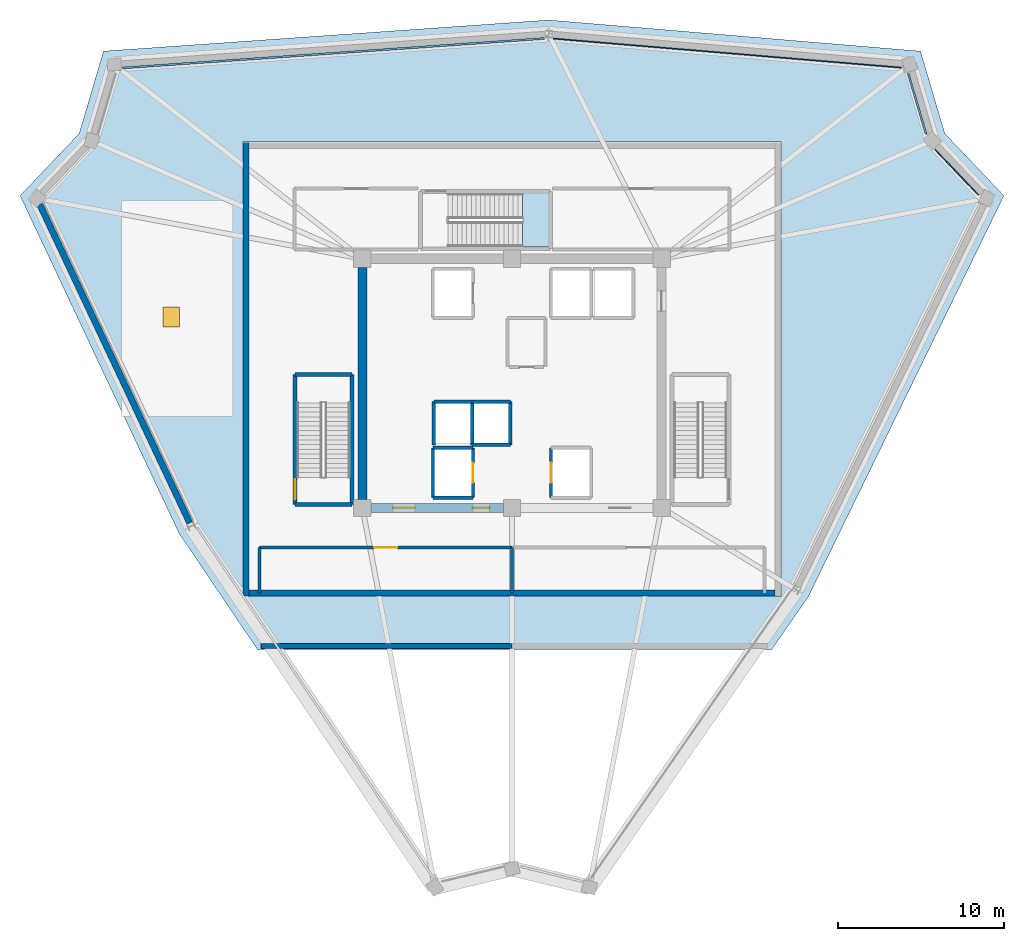
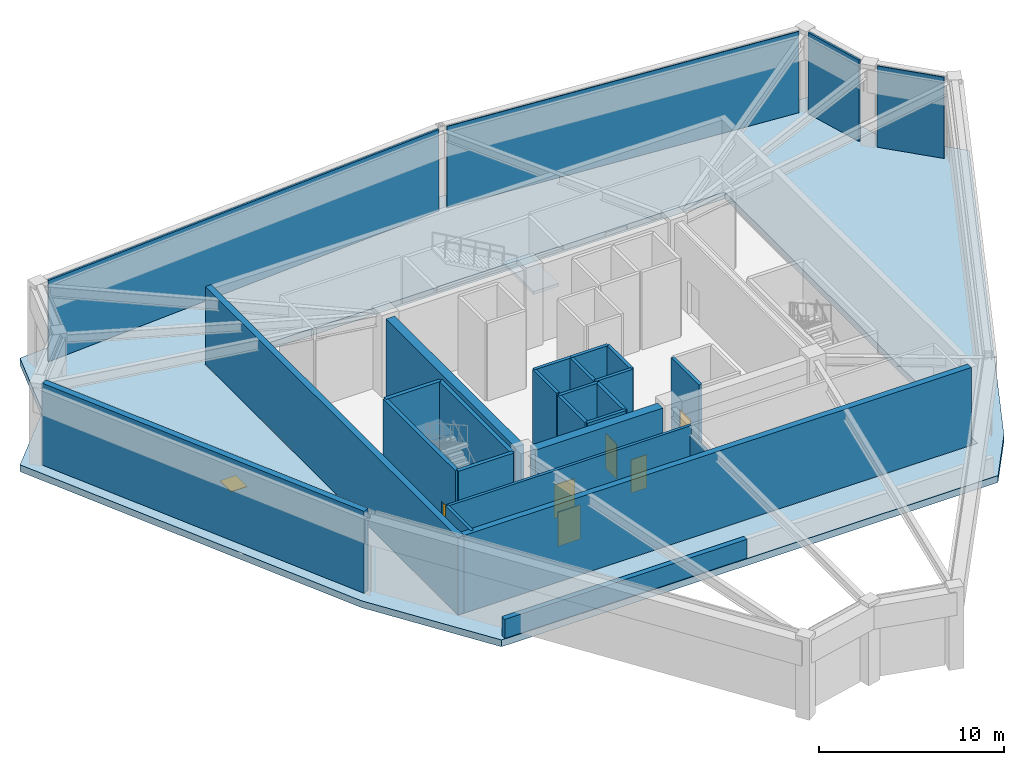
# One storey, part 4 of 8: 24 walls, 7 doors, 4 plates, 2 slabs, 7 openings, 1 element without a shape of its own.
"""IFC4 building model written with IfcOpenShell, lengths in metres."""

import ifcopenshell
import ifcopenshell.guid

model = None  # the IFC model being written
_history = None  # IfcOwnerHistory: only IFC2X3 demands one
_inside = {}  # id of a spatial element -> (the spatial element, [elements in it])
_under = {}  # id of a project, library or spatial element -> (it, [spatial elements below it])
_declared = {}  # id of a project -> (the project, [libraries it declares])
_typed = {}  # id of a type object -> (the type object, [elements of that type])
_made_of = {}  # id of a material, layer set ... -> (it, [elements and type objects made of it])


def new_model(schema):
    """Start an empty IFC model of exactly this schema.

    Asked for "IFC4X3", IfcOpenShell would pick the latest addendum, in which some entities
    have other attributes; the version numbers below select the first issue.
    IFC2X3 requires an IfcOwnerHistory on every rooted entity: one is made here for all.
    """
    global model, _history
    if schema == "IFC4X3":
        model = ifcopenshell.file(schema_version=(4, 3, 0, 0))
    else:
        model = ifcopenshell.file(schema=schema)
    _inside.clear()
    _under.clear()
    _declared.clear()
    _typed.clear()
    _made_of.clear()
    _history = None
    if model.schema == "IFC2X3":
        org = make("IfcOrganization", Name="unknown")
        user = make(
            "IfcPersonAndOrganization",
            ThePerson=make("IfcPerson", FamilyName="unknown"),
            TheOrganization=org,
        )
        app = make(
            "IfcApplication",
            ApplicationDeveloper=org,
            Version="unknown",
            ApplicationFullName="unknown",
            ApplicationIdentifier="unknown",
        )
        _history = make(
            "IfcOwnerHistory",
            OwningUser=user,
            OwningApplication=app,
            ChangeAction="ADDED",
            CreationDate=0,
        )
    return model


def make(cls, **values):
    """One entity of the class cls with the attributes given. An attribute that is None is left unset."""
    return model.create_entity(
        cls, **{name: value for name, value in values.items() if value is not None}
    )


def rooted(cls, **values):
    """An entity with a GlobalId (a new one), such as an element, a storey or a relation."""
    return make(cls, GlobalId=ifcopenshell.guid.new(), OwnerHistory=_history, **values)


def si_unit(unit_type, name, prefix=None):
    """IfcSIUnit, for example si_unit("LENGTHUNIT", "METRE", prefix="MILLI")."""
    return make("IfcSIUnit", UnitType=unit_type, Prefix=prefix, Name=name)


def assignment(units):
    """IfcUnitAssignment: the units of a project."""
    return None if units is None else make("IfcUnitAssignment", Units=units)


def point(xyz):
    """IfcCartesianPoint."""
    return None if xyz is None else make("IfcCartesianPoint", Coordinates=xyz)


def direction(xyz):
    """IfcDirection."""
    return None if xyz is None else make("IfcDirection", DirectionRatios=xyz)


def frame(location, z_axis=None, x_axis=None):
    """IfcAxis2Placement3D, a coordinate frame: its origin and axes. An axis left out is left unset."""
    return make(
        "IfcAxis2Placement3D",
        Location=point(location),
        Axis=direction(z_axis),
        RefDirection=direction(x_axis),
    )


def frame_2d(location, x_axis=None):
    """IfcAxis2Placement2D, a coordinate frame in the plane: its origin and x axis."""
    return make(
        "IfcAxis2Placement2D", Location=point(location), RefDirection=direction(x_axis)
    )


def origin():
    """The frame at (0, 0, 0) with its axes left unset."""
    return frame((0.0, 0.0, 0.0))


def origin_2d():
    """The frame at (0, 0) in the plane with its x axis left unset."""
    return frame_2d((0.0, 0.0))


def place(relative_to, where):
    """IfcLocalPlacement: puts the frame where relative to a parent placement (None: the world)."""
    return make(
        "IfcLocalPlacement", PlacementRelTo=relative_to, RelativePlacement=where
    )


def context(
    kind, dimensions, precision=None, world=None, true_north=None, identifier=None
):
    """IfcGeometricRepresentationContext, for example the 3D "Model" context."""
    return make(
        "IfcGeometricRepresentationContext",
        ContextIdentifier=identifier,
        ContextType=kind,
        CoordinateSpaceDimension=dimensions,
        Precision=precision,
        WorldCoordinateSystem=world,
        TrueNorth=true_north,
    )


def subcontext(parent, identifier, kind, view, scale=None):
    """IfcGeometricRepresentationSubContext, for example "Body" below "Model"."""
    return make(
        "IfcGeometricRepresentationSubContext",
        ContextIdentifier=identifier,
        ContextType=kind,
        ParentContext=parent,
        TargetScale=scale,
        TargetView=view,
    )


def project(units=None, contexts=None):
    """IfcProject with its units and contexts."""
    return rooted(
        "IfcProject",
        Name="project",
        RepresentationContexts=contexts,
        UnitsInContext=assignment(units),
    )


def spatial(cls, under=None, at=None, **own):
    """A site, building, storey or space (cls), placed at a placement, below another one or the project."""
    s = rooted(cls, ObjectPlacement=at, **own)
    if under is not None:
        _under.setdefault(under.id(), (under, []))[1].append(s)
    return s


def polyline(points):
    """IfcPolyline through the points."""
    return make("IfcPolyline", Points=[point(p) for p in points])


def profile(cls, at=None, kind="AREA", **sizes):
    """A parametric profile (cls). Its sizes go by their IFC names, for example OverallWidth=200.0."""
    return make(cls, ProfileType=kind, Position=at, **sizes)


def rectangle(**sizes):
    """IfcRectangleProfileDef."""
    return profile("IfcRectangleProfileDef", **sizes)


def outline(outer, holes=None, kind="AREA"):
    """IfcArbitraryClosedProfileDef: a profile drawn as a closed curve; with holes, ...WithVoids."""
    if holes is None:
        return make("IfcArbitraryClosedProfileDef", ProfileType=kind, OuterCurve=outer)
    return make(
        "IfcArbitraryProfileDefWithVoids",
        ProfileType=kind,
        OuterCurve=outer,
        InnerCurves=holes,
    )


def extrude(swept, where, along, depth):
    """IfcExtrudedAreaSolid: the profile swept, set in the frame where, extruded along a direction by depth."""
    return make(
        "IfcExtrudedAreaSolid",
        SweptArea=swept,
        Position=where,
        ExtrudedDirection=direction(along),
        Depth=depth,
    )


def shape(context_of_items, identifier, shape_type, items):
    """IfcShapeRepresentation: the items that make up one representation, for example the "Body"."""
    return make(
        "IfcShapeRepresentation",
        ContextOfItems=context_of_items,
        RepresentationIdentifier=identifier,
        RepresentationType=shape_type,
        Items=items,
    )


def source(mapping_origin, context_of_items, identifier, shape_type, items):
    """IfcRepresentationMap: a shape defined once, which mapped items show again and again."""
    return make(
        "IfcRepresentationMap",
        MappingOrigin=mapping_origin,
        MappedRepresentation=shape(context_of_items, identifier, shape_type, items),
    )


def transform(
    local_origin,
    x_axis=None,
    y_axis=None,
    z_axis=None,
    scale=None,
    scale2=None,
    scale3=None,
    uniform=True,
):
    """IfcCartesianTransformationOperator3D, or its non-uniform kind. x_axis, y_axis, z_axis: its Axis1, 2, 3."""
    if uniform:
        return make(
            "IfcCartesianTransformationOperator3D",
            Axis1=direction(x_axis),
            Axis2=direction(y_axis),
            LocalOrigin=point(local_origin),
            Scale=scale,
            Axis3=direction(z_axis),
        )
    return make(
        "IfcCartesianTransformationOperator3DnonUniform",
        Axis1=direction(x_axis),
        Axis2=direction(y_axis),
        LocalOrigin=point(local_origin),
        Scale=scale,
        Axis3=direction(z_axis),
        Scale2=scale2,
        Scale3=scale3,
    )


def mapped(mapping_source, mapping_target):
    """IfcMappedItem: shows the shape of a source again, moved by a transform."""
    return make(
        "IfcMappedItem", MappingSource=mapping_source, MappingTarget=mapping_target
    )


def material(Name=None, Category=None):
    """IfcMaterial."""
    return make("IfcMaterial", Name=Name, Category=Category)


def layer(
    of_material, thickness, ventilated=None, Name=None, Category=None, Priority=None
):
    """IfcMaterialLayer: one layer of a wall or slab, of a material (None: an air gap)."""
    return make(
        "IfcMaterialLayer",
        Material=of_material,
        LayerThickness=thickness,
        IsVentilated=ventilated,
        Name=Name,
        Category=Category,
        Priority=Priority,
    )


def layer_set(layers, Name=None):
    """IfcMaterialLayerSet."""
    return make("IfcMaterialLayerSet", MaterialLayers=layers, LayerSetName=Name)


def made_of(thing, what):
    """Note that an element or type object is made of a material, layer set ...; save() writes the relation."""
    if what is not None:
        _made_of.setdefault(what.id(), (what, []))[1].append(thing)
    return thing


def type_object(cls, material=None, **own):
    """A type object (cls), such as IfcWallType, which elements share."""
    return made_of(rooted(cls, **own), material)


def element(
    cls,
    number,
    at=None,
    inside=None,
    cuts=None,
    type_object=None,
    material=None,
    context=None,
    identifier="Body",
    shape_type=None,
    held_by="IfcProductDefinitionShape",
    body=None,
    shapes=None,
    **own,
):
    """One element of the class cls, such as IfcWall. Its Tag is "e" and its number.

    at: its placement. inside: the storey or other place that contains it. cuts: it is an
    opening in that element (IfcRelVoidsElement). A single representation is given by context,
    identifier, shape_type and body (its items); several are given by shapes. held_by: the class
    of the entity that holds the representations. save() writes the other relations.
    """
    e = rooted(cls, Tag="e%d" % number, ObjectPlacement=at, **own)
    if body is not None:
        shapes = [shape(context, identifier, shape_type, body)]
    if shapes is not None:
        e.Representation = make(held_by, Representations=shapes)
    if inside is not None:
        _inside.setdefault(inside.id(), (inside, []))[1].append(e)
    if cuts is not None:
        rooted(
            "IfcRelVoidsElement", RelatingBuildingElement=cuts, RelatedOpeningElement=e
        )
    if type_object is not None:
        _typed.setdefault(type_object.id(), (type_object, []))[1].append(e)
    return made_of(e, material)


def fill(opening, filler):
    """IfcRelFillsElement: the door or window that sits in an opening."""
    return rooted(
        "IfcRelFillsElement",
        RelatingOpeningElement=opening,
        RelatedBuildingElement=filler,
    )


def aggregate(whole, parts):
    """IfcRelAggregates: a whole, such as a stair, and the parts it consists of."""
    return rooted("IfcRelAggregates", RelatingObject=whole, RelatedObjects=parts)


def save(model, path):
    """Write the relations noted so far, then the file.

    IfcRelAggregates (storeys below a building ...), IfcRelContainedInSpatialStructure (elements
    in a storey), IfcRelDefinesByType, IfcRelAssociatesMaterial and IfcRelDeclares: one each for
    every whole, place, type object, material and project.
    """
    for whole, parts in _under.values():
        aggregate(whole, parts)
    for where, things in _inside.values():
        rooted(
            "IfcRelContainedInSpatialStructure",
            RelatedElements=things,
            RelatingStructure=where,
        )
    for kind, things in _typed.values():
        rooted("IfcRelDefinesByType", RelatedObjects=things, RelatingType=kind)
    for what, things in _made_of.values():
        rooted("IfcRelAssociatesMaterial", RelatedObjects=things, RelatingMaterial=what)
    for by, libraries in _declared.values():
        rooted("IfcRelDeclares", RelatingContext=by, RelatedDefinitions=libraries)
    model.write(path)


model = new_model("IFC4")

# Units and contexts
model_context = context("Model", 3, precision=1e-05, world=origin(), true_north=direction((0.0, 1.0)))
body_context = subcontext(model_context, "Body", "Model", "MODEL_VIEW")
ifc_project = project(units=[si_unit("LENGTHUNIT", "METRE"), si_unit("AREAUNIT", "SQUARE_METRE"), si_unit("VOLUMEUNIT", "CUBIC_METRE"), si_unit("PLANEANGLEUNIT", "RADIAN"), si_unit("MASSUNIT", "GRAM", prefix="KILO")], contexts=[model_context])

# Site, building, storey
site_placement = place(None, origin())
site = spatial("IfcSite", under=ifc_project, at=site_placement, CompositionType="ELEMENT")
building_placement = place(site_placement, origin())
building = spatial("IfcBuilding", under=site, at=building_placement, Name="Liaohun Quay Tower", CompositionType="ELEMENT")
storey_placement = place(building_placement, frame((0.0, 0.0, 360.60009765625)))
storey = spatial("IfcBuildingStorey", under=building, at=storey_placement, Name="L93", CompositionType="ELEMENT", Elevation=360.60009765625)

# Slab, opening, door
ifc_material_1 = material(Name="Precast concrete C55", Category="concrete")
ifc_layer_1 = layer(ifc_material_1, 0.449951171875, Name="Precast concrete C55", Category="concrete")
ifc_layer_set_1 = layer_set([ifc_layer_1], Name="Precast concrete C55")
slab_type_1 = type_object("IfcSlabType", Name="SLB-CAN-450", PredefinedType="ROOF", material=ifc_layer_set_1)
slab_1_placement = place(storey_placement, frame((0.0, 0.0, -0.4501953125)))
slab_1 = element("IfcSlab", 1, at=slab_1_placement, inside=storey, type_object=slab_type_1, Name="L93 Pavilion Roof Deck", PredefinedType="ROOF", context=body_context, shape_type="SweptSolid", body=[
    extrude(outline(polyline([(44.66796875, 38.0), (75.64111328125, 38.0), (77.830078125, 41.15087890625), (89.60595703125, 65.294921875), (86.044921875, 69.037109375), (84.5849609375, 73.991943359375), (62.212890625, 75.864990234375), (35.4150390625, 73.991943359375), (33.955078125, 69.037109375), (30.39404296875, 65.294921875), (39.9580078125, 44.98388671875), (44.66796875, 38.0)]), holes=[polyline([(76.2099609375, 41.18994140625), (76.2099609375, 68.510009765625), (43.7900390625, 68.510009765625), (43.7900390625, 41.18994140625), (76.2099609375, 41.18994140625)])]), origin(), (0.0, 0.0, 1.0), 0.4501953125),
])
opening_1_placement = place(slab_1_placement, frame((39.5, 58.0, 0.0)))
opening_1 = element("IfcOpeningElement", 2, at=opening_1_placement, cuts=slab_1, Name="Opening HD1", PredefinedType="OPENING", context=body_context, shape_type="SweptSolid", body=[
    extrude(rectangle(XDim=1.0, YDim=1.199951171875, at=origin_2d()), origin(), (0.0, 0.0, 1.0), 0.4501953125),
])
ifc_material_2 = material(Name="Insulated aluminium roof access hatch", Category="aluminium")
door_type_1 = type_object("IfcDoorType", Name="DOR-HTC-1000", OperationType="SINGLE_SWING_LEFT", PredefinedType="TRAPDOOR", material=ifc_material_2)
door_1_placement = place(opening_1_placement, frame((0.0, 0.0, 0.400146484375)))
door_1 = element("IfcDoor", 3, at=door_1_placement, inside=storey, type_object=door_type_1, Name="L93 Pavilion Maintenance Roof Hatch", OperationType="SINGLE_SWING_LEFT", OverallHeight=1.199951171875, OverallWidth=1.0, PredefinedType="TRAPDOOR", context=body_context, shape_type="SweptSolid", body=[
    extrude(rectangle(XDim=1.0, YDim=1.199951171875, at=origin_2d()), origin(), (0.0, 0.0, 1.0), 0.050048828125),
])
fill(opening_1, door_1)

# Stair, slab
ifc_material_3 = material(Name="Concrete C45", Category="concrete")
stair_type = type_object("IfcStairType", Name="STR-CORE-CRN", PredefinedType="HALF_TURN_STAIR", material=ifc_material_3)
stair_placement = place(storey_placement, origin())
stair = element("IfcStair", 4, at=stair_placement, inside=storey, type_object=stair_type, Name="L93 Smokeproof Core Exit Stair ST-3", PredefinedType="HALF_TURN_STAIR")
ifc_layer_2 = layer(ifc_material_3, 0.199951171875, Name="Concrete C45", Category="concrete")
ifc_layer_set_2 = layer_set([ifc_layer_2], Name="Concrete C45")
slab_type_2 = type_object("IfcSlabType", Name="SLB-LND-200", PredefinedType="LANDING", material=ifc_layer_set_2)
slab_2_placement = place(storey_placement, frame((0.0, 0.0, 2.5)))
slab_2 = element("IfcSlab", 5, at=slab_2_placement, type_object=slab_type_2, Name="ST-3 landing 1", PredefinedType="LANDING", context=body_context, shape_type="SweptSolid", body=[
    extrude(outline(polyline([(60.6298828125, 62.199951171875), (62.219970703125, 62.199951171875), (62.219970703125, 65.43994140625), (60.6298828125, 65.43994140625), (60.6298828125, 62.199951171875)])), origin(), (0.0, 0.0, 1.0), 0.199951171875),
])
aggregate(stair, [slab_2])

# Plates
ifc_material_4 = material(Name="Precast concrete C50 bush-hammered spandrel plate", Category="concrete")
ifc_layer_3 = layer(ifc_material_4, 0.1201171875, Name="Precast concrete C50 bush-hammered spandrel plate", Category="concrete")
ifc_layer_set_3 = layer_set([ifc_layer_3], Name="Precast concrete C50 bush-hammered spandrel plate")
plate_type_1 = type_object("IfcPlateType", Name="PLT-PRC-CLAD", PredefinedType="USERDEFINED", material=ifc_layer_set_3)
shared_shape_1 = source(origin(), body_context, "Body", "SweptSolid", [
    extrude(rectangle(XDim=3.800048828125, YDim=0.1201171875, at=origin_2d()), origin(), (0.0, 0.0, 1.0), 5.360107421875),
])
plate_1_placement = place(storey_placement, frame((84.381103515625, 70.8291015625, 0.0), z_axis=(0.0, 0.0, 1.0), x_axis=(-0.28284371374, 0.959166009405, 0.0)))
element("IfcPlate", 6, at=plate_1_placement, inside=storey, type_object=plate_type_1, Name="L93 Crown Brutalist Cladding Fascia 05", ObjectType="CLADDING PLATE", PredefinedType="USERDEFINED", context=body_context, shape_type="MappedRepresentation", body=[
    mapped(shared_shape_1, transform((0.0, 0.0, 0.0), x_axis=(1.0, 0.0, 0.0), y_axis=(0.0, 1.0, 0.0), z_axis=(0.0, 0.0, 1.0), scale=1.0)),
])
ifc_material_5 = material(Name="Insulated anodised aluminium spandrel cassette", Category="aluminium")
ifc_layer_4 = layer(ifc_material_5, 0.06005859375, Name="Insulated anodised aluminium spandrel cassette", Category="aluminium")
ifc_layer_set_4 = layer_set([ifc_layer_4], Name="Insulated anodised aluminium spandrel cassette")
plate_type_2 = type_object("IfcPlateType", Name="PLT-CWP-SPD", PredefinedType="SHEET", material=ifc_layer_set_4)
shared_shape_2 = source(origin(), body_context, "Body", "SweptSolid", [
    extrude(rectangle(XDim=21.02392578125, YDim=0.06005859375, at=origin_2d()), origin(), (0.0, 0.0, 1.0), 5.360107421875),
])
plate_2_placement = place(storey_placement, frame((72.945068359375, 73.873046875, 0.0), z_axis=(0.0, 0.0, 1.0), x_axis=(-0.996522007617, 0.083329996614, 0.0)))
element("IfcPlate", 7, at=plate_2_placement, inside=storey, type_object=plate_type_2, Name="L93 Crown Brutalist Cladding Fascia 06", PredefinedType="SHEET", context=body_context, shape_type="MappedRepresentation", body=[
    mapped(shared_shape_2, transform((0.0, 0.0, 0.0), x_axis=(1.0, 0.0, 0.0), y_axis=(0.0, 1.0, 0.0), z_axis=(0.0, 0.0, 1.0), scale=1.0)),
])
shared_shape_3 = source(origin(), body_context, "Body", "SweptSolid", [
    extrude(rectangle(XDim=3.7900390625, YDim=0.06005859375, at=origin_2d()), origin(), (0.0, 0.0, 1.0), 5.360107421875),
])
plate_3_placement = place(storey_placement, frame((86.761962890625, 66.702880859375, 0.0), z_axis=(0.0, 0.0, 1.0), x_axis=(-0.68936671806, 0.724412539946, 0.0)))
element("IfcPlate", 8, at=plate_3_placement, inside=storey, type_object=plate_type_2, Name="L93 Crown Brutalist Cladding Fascia 04", PredefinedType="SHEET", context=body_context, shape_type="MappedRepresentation", body=[
    mapped(shared_shape_3, transform((0.0, 0.0, 0.0), x_axis=(1.0, 0.0, 0.0), y_axis=(0.0, 1.0, 0.0), z_axis=(0.0, 0.0, 1.0), scale=1.0)),
])
shared_shape_4 = source(origin(), body_context, "Body", "SweptSolid", [
    extrude(rectangle(XDim=25.427978515625, YDim=0.1201171875, at=origin_2d()), origin(), (0.0, 0.0, 1.0), 5.360107421875),
])
plate_4_placement = place(storey_placement, frame((49.257080078125, 73.866943359375, 0.0), z_axis=(0.0, 0.0, 1.0), x_axis=(-0.99756405026, -0.069756473744, 0.0)))
element("IfcPlate", 9, at=plate_4_placement, inside=storey, type_object=plate_type_1, Name="L93 Crown Brutalist Cladding Fascia 07", ObjectType="CLADDING PLATE", PredefinedType="USERDEFINED", context=body_context, shape_type="MappedRepresentation", body=[
    mapped(shared_shape_4, transform((0.0, 0.0, 0.0), x_axis=(1.0, 0.0, 0.0), y_axis=(0.0, 1.0, 0.0), z_axis=(0.0, 0.0, 1.0), scale=1.0)),
])

# Wall, openings, doors
ifc_material_6 = material(Name="Concrete C50", Category="concrete")
ifc_layer_5 = layer(ifc_material_6, 0.550048828125, Name="Concrete C50", Category="concrete")
ifc_layer_set_5 = layer_set([ifc_layer_5], Name="Concrete C50")
wall_type_1 = type_object("IfcWallType", Name="WAL-COR-Z4", PredefinedType="SHEAR", material=ifc_layer_set_5)
wall_1_placement = place(storey_placement, frame((59.47509765625, 46.5, 0.0), z_axis=(0.0, 0.0, 1.0), x_axis=(-1.0, 0.0, 0.0)))
wall_1 = element("IfcWall", 10, at=wall_1_placement, inside=storey, type_object=wall_type_1, Name="L93 Central Core Shear Wall S-W", PredefinedType="SHEAR", context=body_context, shape_type="SweptSolid", body=[
    extrude(rectangle(XDim=7.9501953125, YDim=0.550048828125, at=frame_2d((3.97509765625, 0.0))), origin(), (0.0, 0.0, 1.0), 5.119873046875),
])
shared_shape_5 = source(origin(), body_context, "Body", "SweptSolid", [
    extrude(rectangle(XDim=1.300048828125, YDim=2.199951171875, at=frame_2d((0.64990234375, 1.10009765625))), frame((0.0, 0.284912109375, 0.0), z_axis=(0.0, -1.0, 0.0), x_axis=(1.0, 0.0, 0.0)), (0.0, 0.0, 1.0), 0.570068359375),
])
opening_2_placement = place(wall_1_placement, frame((5.324951171875, 0.0, 0.0)))
opening_2 = element("IfcOpeningElement", 11, at=opening_2_placement, cuts=wall_1, Name="Opening FD1", PredefinedType="OPENING", context=body_context, shape_type="MappedRepresentation", body=[
    mapped(shared_shape_5, transform((0.0, 0.0, 0.0), x_axis=(1.0, 0.0, 0.0), y_axis=(0.0, 1.0, 0.0), z_axis=(0.0, 0.0, 1.0), scale=1.0)),
])
shared_shape_6 = source(origin(), body_context, "Body", "SweptSolid", [
    extrude(rectangle(XDim=1.0, YDim=2.199951171875, at=frame_2d((0.5, 1.10009765625))), frame((0.0, 0.284912109375, 0.0), z_axis=(0.0, -1.0, 0.0), x_axis=(1.0, 0.0, 0.0)), (0.0, 0.0, 1.0), 0.570068359375),
])
opening_3_placement = place(wall_1_placement, frame((0.824951171875, 0.0, 0.0)))
opening_3 = element("IfcOpeningElement", 12, at=opening_3_placement, cuts=wall_1, Name="Opening FD2", PredefinedType="OPENING", context=body_context, shape_type="MappedRepresentation", body=[
    mapped(shared_shape_6, transform((0.0, 0.0, 0.0), x_axis=(1.0, 0.0, 0.0), y_axis=(0.0, 1.0, 0.0), z_axis=(0.0, 0.0, 1.0), scale=1.0)),
])
ifc_material_7 = material(Name="Galvanised steel smokeproof fire door", Category="steel")
door_type_2 = type_object("IfcDoorType", Name="DOR-FFL-1300", OperationType="NOTDEFINED", PredefinedType="DOOR", material=ifc_material_7)
shared_shape_7 = source(origin(), body_context, "Body", "SweptSolid", [
    extrude(rectangle(XDim=1.300048828125, YDim=2.199951171875, at=frame_2d((0.64990234375, 1.10009765625))), frame((0.0, 0.02490234375, 0.0), z_axis=(0.0, -1.0, 0.0), x_axis=(1.0, 0.0, 0.0)), (0.0, 0.0, 1.0), 0.050048828125),
])
door_2_placement = place(opening_2_placement, origin())
door_2 = element("IfcDoor", 13, at=door_2_placement, inside=storey, type_object=door_type_2, Name="L93 West Core Lift Lobby Smokeproof Door", OperationType="SINGLE_SWING_RIGHT", OverallHeight=2.199951171875, OverallWidth=1.300048828125, PredefinedType="DOOR", context=body_context, shape_type="MappedRepresentation", body=[
    mapped(shared_shape_7, transform((0.0, 0.0, 0.0), x_axis=(1.0, 0.0, 0.0), y_axis=(0.0, 1.0, 0.0), z_axis=(0.0, 0.0, 1.0), scale=1.0)),
])
fill(opening_2, door_2)
ifc_material_8 = material(Name="Galvanised steel smokeproof lobby fire door", Category="steel")
door_type_3 = type_object("IfcDoorType", Name="DOR-FFL-1000", OperationType="NOTDEFINED", PredefinedType="DOOR", material=ifc_material_8)
shared_shape_8 = source(origin(), body_context, "Body", "SweptSolid", [
    extrude(rectangle(XDim=1.0, YDim=2.199951171875, at=frame_2d((0.5, 1.10009765625))), frame((0.0, 0.02490234375, 0.0), z_axis=(0.0, -1.0, 0.0), x_axis=(1.0, 0.0, 0.0)), (0.0, 0.0, 1.0), 0.050048828125),
])
door_3_placement = place(opening_3_placement, origin())
door_3 = element("IfcDoor", 14, at=door_3_placement, inside=storey, type_object=door_type_3, Name="L93 South Firefighting Lobby Smokeproof Door", OperationType="SINGLE_SWING_LEFT", OverallHeight=2.199951171875, OverallWidth=1.0, PredefinedType="DOOR", context=body_context, shape_type="MappedRepresentation", body=[
    mapped(shared_shape_8, transform((0.0, 0.0, 0.0), x_axis=(1.0, 0.0, 0.0), y_axis=(0.0, 1.0, 0.0), z_axis=(0.0, 0.0, 1.0), scale=1.0)),
])
fill(opening_3, door_3)

# Walls
wall_2_placement = place(storey_placement, frame((51.0, 47.02490234375, 0.0), z_axis=(0.0, 0.0, 1.0), x_axis=(0.0, 1.0, 0.0)))
element("IfcWall", 15, at=wall_2_placement, inside=storey, type_object=wall_type_1, Name="L93 Central Core Shear Wall W", PredefinedType="SHEAR", context=body_context, shape_type="SweptSolid", body=[
    extrude(rectangle(XDim=13.9501953125, YDim=0.550048828125, at=frame_2d((6.97509765625, 0.0))), origin(), (0.0, 0.0, 1.0), 5.119873046875),
])
ifc_material_9 = material(Name="Precast concrete C50 insulated sandwich", Category="concrete")
ifc_layer_6 = layer(ifc_material_9, 0.3798828125, Name="Precast concrete C50 insulated sandwich", Category="concrete")
ifc_layer_set_6 = layer_set([ifc_layer_6], Name="Precast concrete C50 insulated sandwich")
wall_type_2 = type_object("IfcWallType", Name="WAL-EXT-Z34", PredefinedType="SOLIDWALL", material=ifc_layer_set_6)
wall_3_placement = place(storey_placement, frame((31.587890625, 64.756103515625, 0.0), z_axis=(0.0, 0.0, 1.0), x_axis=(0.42598517581, -0.904730142081, 0.0)))
element("IfcWall", 16, at=wall_3_placement, inside=storey, type_object=wall_type_2, Name="L93 Crown Precast Enclosure Wall 10", PredefinedType="SOLIDWALL", context=body_context, shape_type="SweptSolid", body=[
    extrude(rectangle(XDim=21.184326171875, YDim=0.3798828125, at=frame_2d((10.59228515625, 0.0))), origin(), (0.0, 0.0, 1.0), 5.39990234375),
])
wall_4_placement = place(storey_placement, frame((43.989990234375, 41.199951171875, 0.0), z_axis=(0.0, 0.0, 1.0), x_axis=(0.0, 1.0, 0.0)))
element("IfcWall", 17, at=wall_4_placement, inside=storey, type_object=wall_type_2, Name="L93 Crown Mechanical House Wall W", PredefinedType="SOLIDWALL", context=body_context, shape_type="SweptSolid", body=[
    extrude(rectangle(XDim=27.300048828125, YDim=0.3798828125, at=frame_2d((13.64990234375, 0.0))), origin(), (0.0, 0.0, 1.0), 5.119873046875),
])
wall_5_placement = place(storey_placement, frame((75.820068359375, 41.389892578125, 0.0), z_axis=(0.0, 0.0, 1.0), x_axis=(-1.0, 0.0, 0.0)))
element("IfcWall", 18, at=wall_5_placement, inside=storey, type_object=wall_type_2, Name="L93 Crown Mechanical House Wall S", PredefinedType="SOLIDWALL", context=body_context, shape_type="SweptSolid", body=[
    extrude(rectangle(XDim=31.64013671875, YDim=0.3798828125, at=frame_2d((15.820068359375, 0.0))), origin(), (0.0, 0.0, 1.0), 5.119873046875),
])
ifc_material_10 = material(Name="Precast concrete C50", Category="concrete")
ifc_layer_7 = layer(ifc_material_10, 0.320068359375, Name="Precast concrete C50", Category="concrete")
ifc_layer_set_7 = layer_set([ifc_layer_7], Name="Precast concrete C50")
wall_type_3 = type_object("IfcWallType", Name="WAL-PAR-320", PredefinedType="PARAPET", material=ifc_layer_set_7)
wall_6_placement = place(storey_placement, frame((44.89990234375, 38.199951171875, 0.0), z_axis=(0.0, 0.0, 1.0), x_axis=(1.0, 0.0, 0.0)))
element("IfcWall", 19, at=wall_6_placement, inside=storey, type_object=wall_type_3, Name="L93 Maintenance Roof Parapet Wall PW-1-01", PredefinedType="PARAPET", context=body_context, shape_type="SweptSolid", body=[
    extrude(rectangle(XDim=15.10009765625, YDim=0.320068359375, at=frame_2d((7.550048828125, 0.0))), origin(), (0.0, 0.0, 1.0), 1.25),
])

# Wall, opening, door
ifc_material_11 = material(Name="Autoclaved aerated concrete blockwork", Category="masonry")
ifc_layer_8 = layer(ifc_material_11, 0.179931640625, Name="Autoclaved aerated concrete blockwork", Category="masonry")
ifc_layer_set_8 = layer_set([ifc_layer_8], Name="Autoclaved aerated concrete blockwork")
wall_type_4 = type_object("IfcWallType", Name="WAL-PRT-COR", PredefinedType="PARTITIONING", material=ifc_layer_set_8)
wall_7_placement = place(storey_placement, frame((44.800048828125, 44.1201171875, 0.0), z_axis=(0.0, 0.0, 1.0), x_axis=(1.0, 0.0, 0.0)))
wall_7 = element("IfcWall", 20, at=wall_7_placement, inside=storey, type_object=wall_type_4, Name="L93 Interior Partition Wall 002", PredefinedType="PARTITIONING", context=body_context, shape_type="SweptSolid", body=[
    extrude(rectangle(XDim=15.199951171875, YDim=0.179931640625, at=frame_2d((7.60009765625, 0.0))), origin(), (0.0, 0.0, 1.0), 5.119873046875),
])
shared_shape_9 = source(origin(), body_context, "Body", "SweptSolid", [
    extrude(rectangle(XDim=1.39990234375, YDim=2.25, at=frame_2d((0.699951171875, 1.125))), frame((0.0, 0.099853515625, 0.0), z_axis=(0.0, -1.0, 0.0), x_axis=(1.0, 0.0, 0.0)), (0.0, 0.0, 1.0), 0.199951171875),
])
opening_4_placement = place(wall_7_placement, frame((6.89990234375, 0.0, 0.0)))
opening_4 = element("IfcOpeningElement", 21, at=opening_4_placement, cuts=wall_7, Name="Opening MD1", PredefinedType="OPENING", context=body_context, shape_type="MappedRepresentation", body=[
    mapped(shared_shape_9, transform((0.0, 0.0, 0.0), x_axis=(1.0, 0.0, 0.0), y_axis=(0.0, 1.0, 0.0), z_axis=(0.0, 0.0, 1.0), scale=1.0)),
])
ifc_material_12 = material(Name="Insulated steel plant room door", Category="steel")
door_type_4 = type_object("IfcDoorType", Name="DOR-MEP-1400", OperationType="DOUBLE_DOOR_SINGLE_SWING", PredefinedType="DOOR", material=ifc_material_12)
shared_shape_10 = source(origin(), body_context, "Body", "SweptSolid", [
    extrude(rectangle(XDim=1.39990234375, YDim=2.25, at=frame_2d((0.699951171875, 1.125))), frame((0.0, 0.02490234375, 0.0), z_axis=(0.0, -1.0, 0.0), x_axis=(1.0, 0.0, 0.0)), (0.0, 0.0, 1.0), 0.050048828125),
])
door_4_placement = place(opening_4_placement, origin())
door_4 = element("IfcDoor", 22, at=door_4_placement, inside=storey, type_object=door_type_4, Name="L93 High-Zone Heat-Recovery Chiller Plant Room Door", OperationType="DOUBLE_DOOR_SINGLE_SWING", OverallHeight=2.25, OverallWidth=1.39990234375, PredefinedType="DOOR", context=body_context, shape_type="MappedRepresentation", body=[
    mapped(shared_shape_10, transform((0.0, 0.0, 0.0), x_axis=(1.0, 0.0, 0.0), y_axis=(0.0, 1.0, 0.0), z_axis=(0.0, 0.0, 1.0), scale=1.0)),
])
fill(opening_4, door_4)

# Walls
wall_8_placement = place(storey_placement, frame((60.0, 41.39990234375, 0.0), z_axis=(0.0, 0.0, 1.0), x_axis=(0.0, 1.0, 0.0)))
element("IfcWall", 23, at=wall_8_placement, inside=storey, type_object=wall_type_4, Name="L93 Interior Partition Wall 009", PredefinedType="PARTITIONING", context=body_context, shape_type="SweptSolid", body=[
    extrude(rectangle(XDim=2.72021484375, YDim=0.179931640625, at=frame_2d((1.360107421875, 0.0))), origin(), (0.0, 0.0, 1.0), 4.516845703125),
])
wall_9_placement = place(storey_placement, frame((44.800048828125, 41.39990234375, 0.0), z_axis=(0.0, 0.0, 1.0), x_axis=(0.0, 1.0, 0.0)))
element("IfcWall", 24, at=wall_9_placement, inside=storey, type_object=wall_type_4, Name="L93 Interior Partition Wall 012", PredefinedType="PARTITIONING", context=body_context, shape_type="SweptSolid", body=[
    extrude(rectangle(XDim=2.72021484375, YDim=0.179931640625, at=frame_2d((1.360107421875, 0.0))), origin(), (0.0, 0.0, 1.0), 5.119873046875),
])
ifc_layer_9 = layer(ifc_material_6, 0.239990234375, Name="Concrete C50", Category="concrete")
ifc_layer_set_9 = layer_set([ifc_layer_9], Name="Concrete C50")
wall_type_5 = type_object("IfcWallType", Name="WAL-SHF-200", PredefinedType="SOLIDWALL", material=ifc_layer_set_9)
wall_10_placement = place(storey_placement, frame((46.93994140625, 46.699951171875, 0.0), z_axis=(0.0, 0.0, 1.0), x_axis=(1.0, 0.0, 0.0)))
element("IfcWall", 25, at=wall_10_placement, inside=storey, type_object=wall_type_5, Name="L93 Stairwell ST-1 Structural Core Wall S", PredefinedType="SOLIDWALL", context=body_context, shape_type="SweptSolid", body=[
    extrude(rectangle(XDim=3.43994140625, YDim=0.239990234375, at=frame_2d((1.719970703125, 0.0))), origin(), (0.0, 0.0, 1.0), 5.119873046875),
])
wall_11_placement = place(storey_placement, frame((50.3798828125, 46.699951171875, 0.0), z_axis=(0.0, 0.0, 1.0), x_axis=(0.0, 1.0, 0.0)))
element("IfcWall", 26, at=wall_11_placement, inside=storey, type_object=wall_type_5, Name="L93 Stairwell ST-1 Structural Core Wall E", PredefinedType="SOLIDWALL", context=body_context, shape_type="SweptSolid", body=[
    extrude(rectangle(XDim=7.820068359375, YDim=0.239990234375, at=frame_2d((3.91015625, 0.0))), origin(), (0.0, 0.0, 1.0), 5.119873046875),
])
wall_12_placement = place(storey_placement, frame((50.3798828125, 54.52001953125, 0.0), z_axis=(0.0, 0.0, 1.0), x_axis=(-1.0, 0.0, 0.0)))
element("IfcWall", 27, at=wall_12_placement, inside=storey, type_object=wall_type_5, Name="L93 Stairwell ST-1 Structural Core Wall N", PredefinedType="SOLIDWALL", context=body_context, shape_type="SweptSolid", body=[
    extrude(rectangle(XDim=3.43994140625, YDim=0.239990234375, at=frame_2d((1.719970703125, 0.0))), origin(), (0.0, 0.0, 1.0), 5.119873046875),
])

# Wall, opening, door
wall_13_placement = place(storey_placement, frame((46.93994140625, 54.52001953125, 0.0), z_axis=(0.0, 0.0, 1.0), x_axis=(0.0, -1.0, 0.0)))
wall_13 = element("IfcWall", 28, at=wall_13_placement, inside=storey, type_object=wall_type_5, Name="L93 Stairwell ST-1 Structural Core Wall W", PredefinedType="SOLIDWALL", context=body_context, shape_type="SweptSolid", body=[
    extrude(rectangle(XDim=7.820068359375, YDim=0.239990234375, at=frame_2d((3.91015625, 0.0))), origin(), (0.0, 0.0, 1.0), 5.119873046875),
])
shared_shape_11 = source(origin(), body_context, "Body", "SweptSolid", [
    extrude(rectangle(XDim=1.199951171875, YDim=2.199951171875, at=frame_2d((0.60009765625, 1.10009765625))), frame((0.0, 0.1298828125, 0.0), z_axis=(0.0, -1.0, 0.0), x_axis=(1.0, 0.0, 0.0)), (0.0, 0.0, 1.0), 0.260009765625),
])
opening_5_placement = place(wall_13_placement, frame((6.300048828125, 0.0, 0.0)))
opening_5 = element("IfcOpeningElement", 29, at=opening_5_placement, cuts=wall_13, Name="Opening SD1", PredefinedType="OPENING", context=body_context, shape_type="MappedRepresentation", body=[
    mapped(shared_shape_11, transform((0.0, 0.0, 0.0), x_axis=(1.0, 0.0, 0.0), y_axis=(0.0, 1.0, 0.0), z_axis=(0.0, 0.0, 1.0), scale=1.0)),
])
ifc_material_13 = material(Name="Galvanised steel fire door", Category="steel")
door_type_5 = type_object("IfcDoorType", Name="DOR-STR-1200", OperationType="NOTDEFINED", PredefinedType="DOOR", material=ifc_material_13)
shared_shape_12 = source(origin(), body_context, "Body", "SweptSolid", [
    extrude(rectangle(XDim=1.199951171875, YDim=2.199951171875, at=frame_2d((0.60009765625, 1.10009765625))), frame((0.0, 0.02490234375, 0.0), z_axis=(0.0, -1.0, 0.0), x_axis=(1.0, 0.0, 0.0)), (0.0, 0.0, 1.0), 0.050048828125),
])
door_5_placement = place(opening_5_placement, origin())
door_5 = element("IfcDoor", 30, at=door_5_placement, inside=storey, type_object=door_type_5, Name="L93 Protected Stair ST-1 Fire Door", OperationType="SINGLE_SWING_LEFT", OverallHeight=2.199951171875, OverallWidth=1.199951171875, PredefinedType="DOOR", context=body_context, shape_type="MappedRepresentation", body=[
    mapped(shared_shape_12, transform((0.0, 0.0, 0.0), x_axis=(1.0, 0.0, 0.0), y_axis=(0.0, 1.0, 0.0), z_axis=(0.0, 0.0, 1.0), scale=1.0)),
])
fill(opening_5, door_5)

# Wall
wall_14_placement = place(storey_placement, frame((55.25, 47.1201171875, 0.0), z_axis=(0.0, 0.0, 1.0), x_axis=(1.0, 0.0, 0.0)))
element("IfcWall", 31, at=wall_14_placement, inside=storey, type_object=wall_type_5, Name="L93 Lift FF-01 Hoistway Wall S", PredefinedType="SOLIDWALL", context=body_context, shape_type="SweptSolid", body=[
    extrude(rectangle(XDim=2.39990234375, YDim=0.199951171875, at=frame_2d((1.199951171875, 0.0))), origin(), (0.0, 0.0, 1.0), 5.119873046875),
])

# Wall, opening, door
wall_15_placement = place(storey_placement, frame((57.64990234375, 47.1201171875, 0.0), z_axis=(0.0, 0.0, 1.0), x_axis=(0.0, 1.0, 0.0)))
wall_15 = element("IfcWall", 32, at=wall_15_placement, inside=storey, type_object=wall_type_5, Name="L93 Lift FF-01 Hoistway Wall E", PredefinedType="SOLIDWALL", context=body_context, shape_type="SweptSolid", body=[
    extrude(rectangle(XDim=3.0, YDim=0.199951171875, at=frame_2d((1.5, 0.0))), origin(), (0.0, 0.0, 1.0), 5.119873046875),
])
shared_shape_13 = source(origin(), body_context, "Body", "SweptSolid", [
    extrude(rectangle(XDim=1.199951171875, YDim=2.300048828125, at=frame_2d((0.60009765625, 1.14990234375))), frame((0.0, 0.10986328125, 0.0), z_axis=(0.0, -1.0, 0.0), x_axis=(1.0, 0.0, 0.0)), (0.0, 0.0, 1.0), 0.219970703125),
])
opening_6_placement = place(wall_15_placement, frame((0.89990234375, 0.0, 0.0)))
opening_6 = element("IfcOpeningElement", 33, at=opening_6_placement, cuts=wall_15, Name="Opening LD2", PredefinedType="OPENING", context=body_context, shape_type="MappedRepresentation", body=[
    mapped(shared_shape_13, transform((0.0, 0.0, 0.0), x_axis=(1.0, 0.0, 0.0), y_axis=(0.0, 1.0, 0.0), z_axis=(0.0, 0.0, 1.0), scale=1.0)),
])
ifc_material_14 = material(Name="Brushed stainless steel stretcher landing door", Category="steel")
door_type_6 = type_object("IfcDoorType", Name="DOR-LFT-1200", OperationType="SLIDING_TO_LEFT", PredefinedType="DOOR", material=ifc_material_14)
shared_shape_14 = source(origin(), body_context, "Body", "SweptSolid", [
    extrude(rectangle(XDim=1.199951171875, YDim=2.300048828125, at=frame_2d((0.60009765625, 1.14990234375))), frame((0.0, 0.02490234375, 0.0), z_axis=(0.0, -1.0, 0.0), x_axis=(1.0, 0.0, 0.0)), (0.0, 0.0, 1.0), 0.050048828125),
])
door_6_placement = place(opening_6_placement, origin())
door_6 = element("IfcDoor", 34, at=door_6_placement, inside=storey, type_object=door_type_6, Name="L93 Lift FF-01 Sliding Landing Door", OperationType="SLIDING_TO_LEFT", OverallHeight=2.300048828125, OverallWidth=1.199951171875, PredefinedType="DOOR", context=body_context, shape_type="MappedRepresentation", body=[
    mapped(shared_shape_14, transform((0.0, 0.0, 0.0), x_axis=(1.0, 0.0, 0.0), y_axis=(0.0, 1.0, 0.0), z_axis=(0.0, 0.0, 1.0), scale=1.0)),
])
fill(opening_6, door_6)

# Walls
wall_16_placement = place(storey_placement, frame((57.64990234375, 50.1201171875, 0.0), z_axis=(0.0, 0.0, 1.0), x_axis=(-1.0, 0.0, 0.0)))
element("IfcWall", 35, at=wall_16_placement, inside=storey, type_object=wall_type_5, Name="L93 Lift FF-01 Hoistway Wall N", PredefinedType="SOLIDWALL", context=body_context, shape_type="SweptSolid", body=[
    extrude(rectangle(XDim=2.39990234375, YDim=0.199951171875, at=frame_2d((1.199951171875, 0.0))), origin(), (0.0, 0.0, 1.0), 5.119873046875),
])
wall_17_placement = place(storey_placement, frame((55.25, 50.1201171875, 0.0), z_axis=(0.0, 0.0, 1.0), x_axis=(0.0, -1.0, 0.0)))
element("IfcWall", 36, at=wall_17_placement, inside=storey, type_object=wall_type_5, Name="L93 Lift FF-01 Hoistway Wall W", PredefinedType="SOLIDWALL", context=body_context, shape_type="SweptSolid", body=[
    extrude(rectangle(XDim=3.0, YDim=0.199951171875, at=frame_2d((1.5, 0.0))), origin(), (0.0, 0.0, 1.0), 5.119873046875),
])

# Wall, opening, door
wall_18_placement = place(storey_placement, frame((62.35009765625, 50.1201171875, 0.0), z_axis=(0.0, 0.0, 1.0), x_axis=(0.0, -1.0, 0.0)))
wall_18 = element("IfcWall", 37, at=wall_18_placement, inside=storey, type_object=wall_type_5, Name="L93 Lift FF-02 Hoistway Wall W", PredefinedType="SOLIDWALL", context=body_context, shape_type="SweptSolid", body=[
    extrude(rectangle(XDim=3.0, YDim=0.199951171875, at=frame_2d((1.5, 0.0))), origin(), (0.0, 0.0, 1.0), 5.119873046875),
])
opening_7_placement = place(wall_18_placement, frame((0.89990234375, 0.0, 0.0)))
opening_7 = element("IfcOpeningElement", 38, at=opening_7_placement, cuts=wall_18, Name="Opening LD2", PredefinedType="OPENING", context=body_context, shape_type="MappedRepresentation", body=[
    mapped(shared_shape_13, transform((0.0, 0.0, 0.0), x_axis=(1.0, 0.0, 0.0), y_axis=(0.0, 1.0, 0.0), z_axis=(0.0, 0.0, 1.0), scale=1.0)),
])
door_7_placement = place(opening_7_placement, origin())
door_7 = element("IfcDoor", 39, at=door_7_placement, inside=storey, type_object=door_type_6, Name="L93 Lift FF-02 Sliding Landing Door", OperationType="SLIDING_TO_LEFT", OverallHeight=2.300048828125, OverallWidth=1.199951171875, PredefinedType="DOOR", context=body_context, shape_type="MappedRepresentation", body=[
    mapped(shared_shape_14, transform((0.0, 0.0, 0.0), x_axis=(1.0, 0.0, 0.0), y_axis=(0.0, 1.0, 0.0), z_axis=(0.0, 0.0, 1.0), scale=1.0)),
])
fill(opening_7, door_7)

# Walls
wall_19_placement = place(storey_placement, frame((57.60009765625, 50.300048828125, 0.0), z_axis=(0.0, 0.0, 1.0), x_axis=(0.0, 1.0, 0.0)))
element("IfcWall", 40, at=wall_19_placement, inside=storey, type_object=wall_type_5, Name="L93 Lift PL-4A Hoistway Wall E", PredefinedType="SOLIDWALL", context=body_context, shape_type="SweptSolid", body=[
    extrude(rectangle(XDim=2.599853515625, YDim=0.199951171875, at=frame_2d((1.2998046875, 0.0))), origin(), (0.0, 0.0, 1.0), 5.119873046875),
])
wall_20_placement = place(storey_placement, frame((57.60009765625, 52.89990234375, 0.0), z_axis=(0.0, 0.0, 1.0), x_axis=(-1.0, 0.0, 0.0)))
element("IfcWall", 41, at=wall_20_placement, inside=storey, type_object=wall_type_5, Name="L93 Lift PL-4A Hoistway Wall N", PredefinedType="SOLIDWALL", context=body_context, shape_type="SweptSolid", body=[
    extrude(rectangle(XDim=2.300048828125, YDim=0.199951171875, at=frame_2d((1.14990234375, 0.0))), origin(), (0.0, 0.0, 1.0), 5.119873046875),
])
wall_21_placement = place(storey_placement, frame((55.300048828125, 52.89990234375, 0.0), z_axis=(0.0, 0.0, 1.0), x_axis=(0.0, -1.0, 0.0)))
element("IfcWall", 42, at=wall_21_placement, inside=storey, type_object=wall_type_5, Name="L93 Lift PL-4A Hoistway Wall W", PredefinedType="SOLIDWALL", context=body_context, shape_type="SweptSolid", body=[
    extrude(rectangle(XDim=2.599853515625, YDim=0.199951171875, at=frame_2d((1.2998046875, 0.0))), origin(), (0.0, 0.0, 1.0), 5.119873046875),
])
wall_22_placement = place(storey_placement, frame((57.60009765625, 50.300048828125, 0.0), z_axis=(0.0, 0.0, 1.0), x_axis=(1.0, 0.0, 0.0)))
element("IfcWall", 43, at=wall_22_placement, inside=storey, type_object=wall_type_5, Name="L93 Lift PL-4B Hoistway Wall S", PredefinedType="SOLIDWALL", context=body_context, shape_type="SweptSolid", body=[
    extrude(rectangle(XDim=2.2998046875, YDim=0.199951171875, at=frame_2d((1.14990234375, 0.0))), origin(), (0.0, 0.0, 1.0), 5.119873046875),
])
wall_23_placement = place(storey_placement, frame((59.89990234375, 50.300048828125, 0.0), z_axis=(0.0, 0.0, 1.0), x_axis=(0.0, 1.0, 0.0)))
element("IfcWall", 44, at=wall_23_placement, inside=storey, type_object=wall_type_5, Name="L93 Lift PL-4B Hoistway Wall E", PredefinedType="SOLIDWALL", context=body_context, shape_type="SweptSolid", body=[
    extrude(rectangle(XDim=2.599853515625, YDim=0.199951171875, at=frame_2d((1.2998046875, 0.0))), origin(), (0.0, 0.0, 1.0), 5.119873046875),
])
wall_24_placement = place(storey_placement, frame((59.89990234375, 52.89990234375, 0.0), z_axis=(0.0, 0.0, 1.0), x_axis=(-1.0, 0.0, 0.0)))
element("IfcWall", 45, at=wall_24_placement, inside=storey, type_object=wall_type_5, Name="L93 Lift PL-4B Hoistway Wall N", PredefinedType="SOLIDWALL", context=body_context, shape_type="SweptSolid", body=[
    extrude(rectangle(XDim=2.2998046875, YDim=0.199951171875, at=frame_2d((1.14990234375, 0.0))), origin(), (0.0, 0.0, 1.0), 5.119873046875),
])

save(model, "model.ifc")
